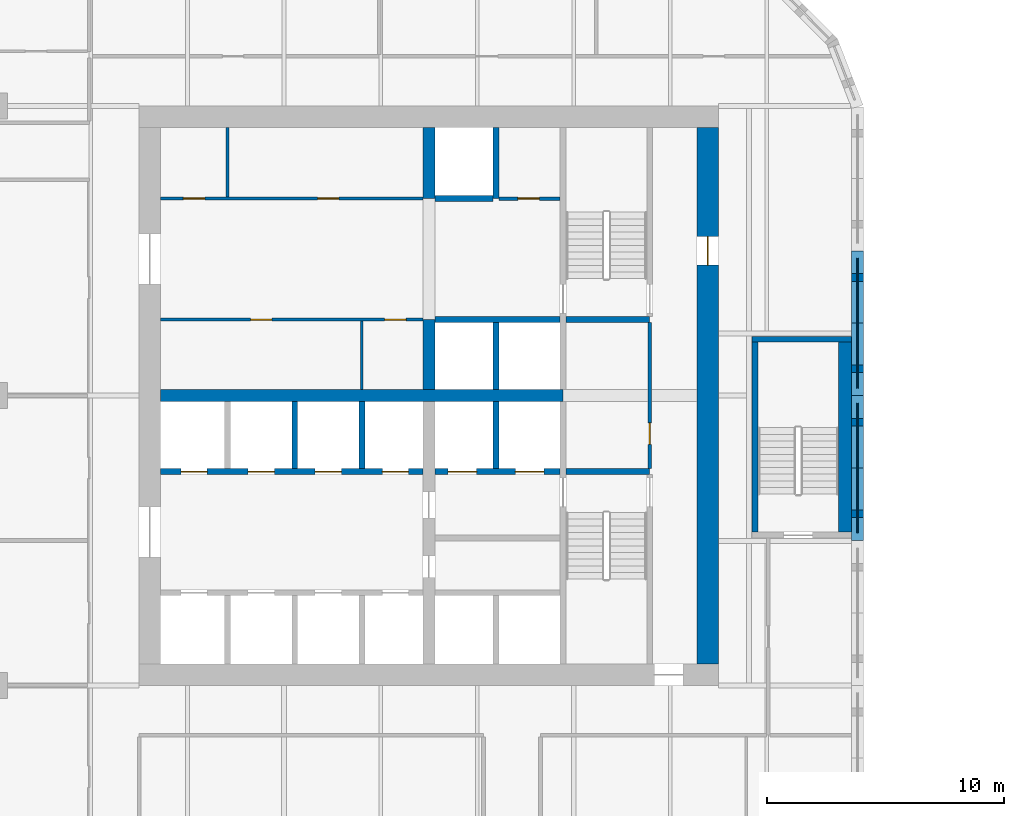
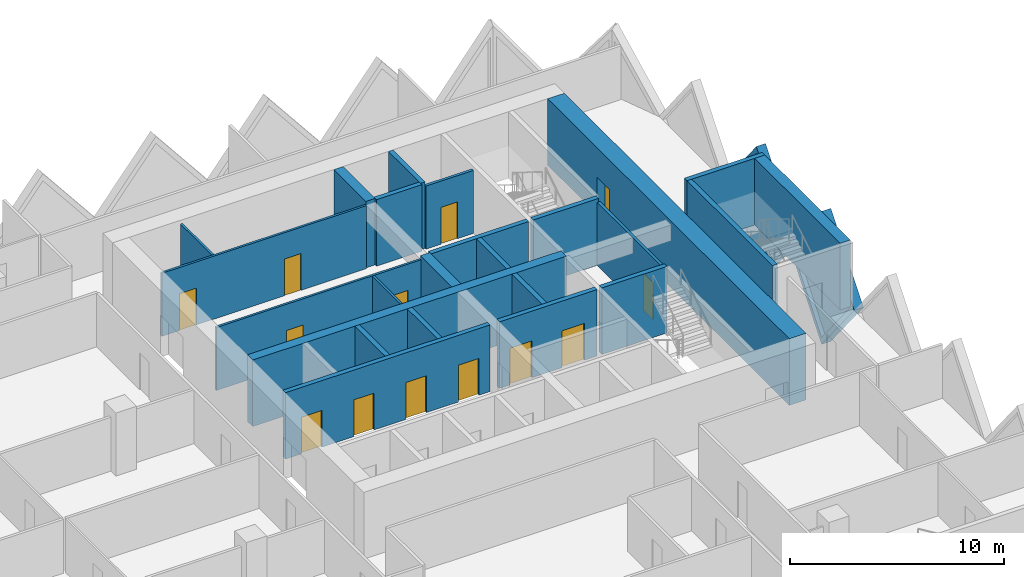
# One storey, part 9 of 18: 26 walls, 13 doors, 2 plates, 15 openings.
"""IFC4 building model written with IfcOpenShell, lengths in metres."""

from ifc_helpers import new_model, si_unit, direction, frame, frame_2d, origin, place, context, subcontext, project, spatial, polyline, rectangle, outline, extrude, faceted_brep, source, transform, mapped, material, layer, layer_set, type_object, element, fill, save


model = new_model("IFC4")

# Units and contexts
model_context = context("Model", 3, precision=1e-05, world=origin(), true_north=direction((0.0, 1.0)))
body_context = subcontext(model_context, "Body", "Model", "MODEL_VIEW")
ifc_project = project(units=[si_unit("LENGTHUNIT", "METRE"), si_unit("AREAUNIT", "SQUARE_METRE"), si_unit("VOLUMEUNIT", "CUBIC_METRE"), si_unit("PLANEANGLEUNIT", "RADIAN"), si_unit("MASSUNIT", "GRAM", prefix="KILO")], contexts=[model_context])

# Site, building, storey
site_placement = place(None, origin())
site = spatial("IfcSite", under=ifc_project, at=site_placement, CompositionType="ELEMENT")
building_placement = place(site_placement, origin())
building = spatial("IfcBuilding", under=site, at=building_placement, Name="Tessera Gate Towers", CompositionType="ELEMENT")
storey_placement = place(building_placement, frame((0.0, 0.0, 41.0)))
storey = spatial("IfcBuildingStorey", under=building, at=storey_placement, Name="L09", CompositionType="ELEMENT", Elevation=41.0)

# Wall, openings, doors
ifc_material_1 = material(Name="Concrete C40/50", Category="concrete")
ifc_layer_1 = layer(ifc_material_1, 0.25)
ifc_layer_set_1 = layer_set([ifc_layer_1], Name="CORE ENCLOSURE WALL 250")
wall_type_1 = type_object("IfcWallType", Name="CORE ENCLOSURE WALL 250", PredefinedType="SOLIDWALL", material=ifc_layer_set_1)
wall_1_placement = place(storey_placement, frame((42.449951171875, 33.39990234375, 0.0), z_axis=(0.0, 0.0, 1.0), x_axis=(-1.0, 0.0, 0.0)))
wall_1 = element("IfcWall", 1, at=wall_1_placement, inside=storey, type_object=wall_type_1, Name="L09 shaft and stair enclosure wall", PredefinedType="SOLIDWALL", context=body_context, shape_type="SweptSolid", body=[
    extrude(rectangle(XDim=11.050048828125, YDim=0.25, at=frame_2d((5.52490234375, 0.0))), origin(), (0.0, 0.0, 1.0), 3.800048828125),
])
shared_shape_1 = source(origin(), body_context, "Body", "SweptSolid", [
    extrude(rectangle(XDim=1.10009765625, YDim=2.10009765625, at=frame_2d((0.550048828125, 1.050048828125))), frame((0.0, 0.135009765625, 0.0), z_axis=(0.0, -1.0, 0.0), x_axis=(1.0, 0.0, 0.0)), (0.0, 0.0, 1.0), 0.27001953125),
])
opening_1_placement = place(wall_1_placement, frame((9.08740234375, 0.0, 0.0)))
opening_1 = element("IfcOpeningElement", 2, at=opening_1_placement, cuts=wall_1, Name="Opening LD-LR5", PredefinedType="OPENING", context=body_context, shape_type="MappedRepresentation", body=[
    mapped(shared_shape_1, transform((0.0, 0.0, 0.0), scale=1.0)),
])
opening_2_placement = place(wall_1_placement, frame((6.262451171875, 0.0, 0.0)))
opening_2 = element("IfcOpeningElement", 3, at=opening_2_placement, cuts=wall_1, Name="Opening LD-LR6", PredefinedType="OPENING", context=body_context, shape_type="MappedRepresentation", body=[
    mapped(shared_shape_1, transform((0.0, 0.0, 0.0), scale=1.0)),
])
opening_3_placement = place(wall_1_placement, frame((3.4375, 0.0, 0.0)))
opening_3 = element("IfcOpeningElement", 4, at=opening_3_placement, cuts=wall_1, Name="Opening LD-LR7", PredefinedType="OPENING", context=body_context, shape_type="MappedRepresentation", body=[
    mapped(shared_shape_1, transform((0.0, 0.0, 0.0), scale=1.0)),
])
opening_4_placement = place(wall_1_placement, frame((0.612548828125, 0.0, 0.0)))
opening_4 = element("IfcOpeningElement", 5, at=opening_4_placement, cuts=wall_1, Name="Opening LD-LR8", PredefinedType="OPENING", context=body_context, shape_type="MappedRepresentation", body=[
    mapped(shared_shape_1, transform((0.0, 0.0, 0.0), scale=1.0)),
])
ifc_material_2 = material(Name="Stainless steel", Category="steel")
door_type_1 = type_object("IfcDoorType", Name="CORE DOOR LD 1100x2100", OperationType="DOUBLE_DOOR_SLIDING", PredefinedType="DOOR", material=ifc_material_2)
shared_shape_2 = source(origin(), body_context, "Body", "SweptSolid", [
    extrude(rectangle(XDim=1.10009765625, YDim=2.10009765625, at=frame_2d((0.550048828125, 1.050048828125))), frame((0.0, 0.02490234375, 0.0), z_axis=(0.0, -1.0, 0.0), x_axis=(1.0, 0.0, 0.0)), (0.0, 0.0, 1.0), 0.050048828125),
])
door_1_placement = place(opening_1_placement, origin())
door_1 = element("IfcDoor", 6, at=door_1_placement, inside=storey, type_object=door_type_1, Name="Landing door LR5 L09", OperationType="DOUBLE_DOOR_SLIDING", OverallHeight=2.10009765625, OverallWidth=1.10009765625, PredefinedType="DOOR", context=body_context, shape_type="MappedRepresentation", body=[
    mapped(shared_shape_2, transform((0.0, 0.0, 0.0), scale=1.0)),
])
fill(opening_1, door_1)
door_2_placement = place(opening_2_placement, origin())
door_2 = element("IfcDoor", 7, at=door_2_placement, inside=storey, type_object=door_type_1, Name="Landing door LR6 L09", OperationType="DOUBLE_DOOR_SLIDING", OverallHeight=2.10009765625, OverallWidth=1.10009765625, PredefinedType="DOOR", context=body_context, shape_type="MappedRepresentation", body=[
    mapped(shared_shape_2, transform((0.0, 0.0, 0.0), scale=1.0)),
])
fill(opening_2, door_2)
door_3_placement = place(opening_3_placement, origin())
door_3 = element("IfcDoor", 8, at=door_3_placement, inside=storey, type_object=door_type_1, Name="Landing door LR7 L09", OperationType="DOUBLE_DOOR_SLIDING", OverallHeight=2.10009765625, OverallWidth=1.10009765625, PredefinedType="DOOR", context=body_context, shape_type="MappedRepresentation", body=[
    mapped(shared_shape_2, transform((0.0, 0.0, 0.0), scale=1.0)),
])
fill(opening_3, door_3)
door_4_placement = place(opening_4_placement, origin())
door_4 = element("IfcDoor", 9, at=door_4_placement, inside=storey, type_object=door_type_1, Name="Landing door LR8 L09", OperationType="DOUBLE_DOOR_SLIDING", OverallHeight=2.10009765625, OverallWidth=1.10009765625, PredefinedType="DOOR", context=body_context, shape_type="MappedRepresentation", body=[
    mapped(shared_shape_2, transform((0.0, 0.0, 0.0), scale=1.0)),
])
fill(opening_4, door_4)

wall_2_placement = place(storey_placement, frame((48.22509765625, 33.39990234375, 0.0), z_axis=(0.0, 0.0, 1.0), x_axis=(-1.0, 0.0, 0.0)))
wall_2 = element("IfcWall", 10, at=wall_2_placement, inside=storey, type_object=wall_type_1, Name="L09 shaft and stair enclosure wall", PredefinedType="SOLIDWALL", context=body_context, shape_type="SweptSolid", body=[
    extrude(rectangle(XDim=5.275146484375, YDim=0.25, at=frame_2d((2.6376953125, 0.0))), origin(), (0.0, 0.0, 1.0), 3.800048828125),
])
shared_shape_3 = source(origin(), body_context, "Body", "SweptSolid", [
    extrude(rectangle(XDim=1.199951171875, YDim=2.10009765625, at=frame_2d((0.60009765625, 1.050048828125))), frame((0.0, 0.135009765625, 0.0), z_axis=(0.0, -1.0, 0.0), x_axis=(1.0, 0.0, 0.0)), (0.0, 0.0, 1.0), 0.27001953125),
])
opening_5_placement = place(wall_2_placement, frame((3.512451171875, 0.0, 0.0)))
opening_5 = element("IfcOpeningElement", 11, at=opening_5_placement, cuts=wall_2, Name="Opening LD-FF1", PredefinedType="OPENING", context=body_context, shape_type="MappedRepresentation", body=[
    mapped(shared_shape_3, transform((0.0, 0.0, 0.0), scale=1.0)),
])
opening_6_placement = place(wall_2_placement, frame((0.6875, 0.0, 0.0)))
opening_6 = element("IfcOpeningElement", 12, at=opening_6_placement, cuts=wall_2, Name="Opening LD-FF2", PredefinedType="OPENING", context=body_context, shape_type="MappedRepresentation", body=[
    mapped(shared_shape_3, transform((0.0, 0.0, 0.0), scale=1.0)),
])
ifc_material_3 = material(Name="Stainless steel", Category="steel")
door_type_2 = type_object("IfcDoorType", Name="CORE DOOR LD1200 1200x2100", OperationType="DOUBLE_DOOR_SLIDING", PredefinedType="DOOR", material=ifc_material_3)
shared_shape_4 = source(origin(), body_context, "Body", "SweptSolid", [
    extrude(rectangle(XDim=1.199951171875, YDim=2.10009765625, at=frame_2d((0.60009765625, 1.050048828125))), frame((0.0, 0.02490234375, 0.0), z_axis=(0.0, -1.0, 0.0), x_axis=(1.0, 0.0, 0.0)), (0.0, 0.0, 1.0), 0.050048828125),
])
door_5_placement = place(opening_5_placement, origin())
door_5 = element("IfcDoor", 13, at=door_5_placement, inside=storey, type_object=door_type_2, Name="Landing door FF1 L09", OperationType="DOUBLE_DOOR_SLIDING", OverallHeight=2.10009765625, OverallWidth=1.199951171875, PredefinedType="DOOR", context=body_context, shape_type="MappedRepresentation", body=[
    mapped(shared_shape_4, transform((0.0, 0.0, 0.0), scale=1.0)),
])
fill(opening_5, door_5)
door_6_placement = place(opening_6_placement, origin())
door_6 = element("IfcDoor", 14, at=door_6_placement, inside=storey, type_object=door_type_2, Name="Landing door FF2 L09", OperationType="DOUBLE_DOOR_SLIDING", OverallHeight=2.10009765625, OverallWidth=1.199951171875, PredefinedType="DOOR", context=body_context, shape_type="MappedRepresentation", body=[
    mapped(shared_shape_4, transform((0.0, 0.0, 0.0), scale=1.0)),
])
fill(opening_6, door_6)

# Walls
wall_3_placement = place(storey_placement, frame((48.47509765625, 33.39990234375, 0.0), z_axis=(0.0, 0.0, 1.0), x_axis=(1.0, 0.0, 0.0)))
element("IfcWall", 15, at=wall_3_placement, inside=storey, type_object=wall_type_1, Name="L09 shaft and stair enclosure wall", PredefinedType="SOLIDWALL", context=body_context, shape_type="SweptSolid", body=[
    extrude(rectangle(XDim=3.52490234375, YDim=0.25, at=frame_2d((1.762451171875, 0.0))), origin(), (0.0, 0.0, 1.0), 3.800048828125),
])
wall_4_placement = place(storey_placement, frame((42.949951171875, 39.800048828125, 0.0), z_axis=(0.0, 0.0, 1.0), x_axis=(1.0, 0.0, 0.0)))
element("IfcWall", 16, at=wall_4_placement, inside=storey, type_object=wall_type_1, Name="L09 shaft and stair enclosure wall", PredefinedType="SOLIDWALL", context=body_context, shape_type="SweptSolid", body=[
    extrude(rectangle(XDim=5.275146484375, YDim=0.25, at=frame_2d((2.6376953125, 0.0))), origin(), (0.0, 0.0, 1.0), 3.800048828125),
])
wall_5_placement = place(storey_placement, frame((48.47509765625, 39.800048828125, 0.0), z_axis=(0.0, 0.0, 1.0), x_axis=(1.0, 0.0, 0.0)))
element("IfcWall", 17, at=wall_5_placement, inside=storey, type_object=wall_type_1, Name="L09 shaft and stair enclosure wall", PredefinedType="SOLIDWALL", context=body_context, shape_type="SweptSolid", body=[
    extrude(rectangle(XDim=3.52490234375, YDim=0.25, at=frame_2d((1.762451171875, 0.0))), origin(), (0.0, 0.0, 1.0), 3.800048828125),
])
wall_6_placement = place(storey_placement, frame((45.52490234375, 33.52490234375, 0.0), z_axis=(0.0, 0.0, 1.0), x_axis=(0.0, 1.0, 0.0)))
element("IfcWall", 18, at=wall_6_placement, inside=storey, type_object=wall_type_1, Name="L09 shaft and stair enclosure wall", PredefinedType="SOLIDWALL", context=body_context, shape_type="SweptSolid", body=[
    extrude(rectangle(XDim=2.8251953125, YDim=0.25, at=frame_2d((1.41259765625, 0.0))), origin(), (0.0, 0.0, 1.0), 3.800048828125),
])
wall_7_placement = place(storey_placement, frame((45.52490234375, 36.85009765625, 0.0), z_axis=(0.0, 0.0, 1.0), x_axis=(0.0, 1.0, 0.0)))
element("IfcWall", 19, at=wall_7_placement, inside=storey, type_object=wall_type_1, Name="L09 shaft and stair enclosure wall", PredefinedType="SOLIDWALL", context=body_context, shape_type="SweptSolid", body=[
    extrude(rectangle(XDim=2.824951171875, YDim=0.25, at=frame_2d((1.41259765625, 0.0))), origin(), (0.0, 0.0, 1.0), 3.800048828125),
])
for number, where, z_axis, x_axis, name in (
    (20, (37.050048828125, 33.52490234375, 0.0), (0.0, 0.0, 1.0), (0.0, 1.0, 0.0), "L09 shaft and stair enclosure wall"),
    (21, (39.875, 33.52490234375, 0.0), (0.0, 0.0, 1.0), (0.0, 1.0, 0.0), "L09 shaft and stair enclosure wall"),
):
    element("IfcWall", number, at=place(storey_placement, frame(where, z_axis=z_axis, x_axis=x_axis)), inside=storey, type_object=wall_type_1, Name=name, PredefinedType="SOLIDWALL", context=body_context, shape_type="SweptSolid", body=[
        extrude(rectangle(XDim=2.8251953125, YDim=0.25, at=frame_2d((1.41259765625, 0.0))), origin(), (0.0, 0.0, 1.0), 3.800048828125),
    ])
wall_8_placement = place(storey_placement, frame((45.52490234375, 44.89990234375, 0.0), z_axis=(0.0, 0.0, 1.0), x_axis=(0.0, 1.0, 0.0)))
element("IfcWall", 22, at=wall_8_placement, inside=storey, type_object=wall_type_1, Name="L09 shaft and stair enclosure wall", PredefinedType="SOLIDWALL", context=body_context, shape_type="SweptSolid", body=[
    extrude(rectangle(XDim=3.0, YDim=0.25, at=frame_2d((1.5, 0.0))), origin(), (0.0, 0.0, 1.0), 3.800048828125),
])
wall_9_placement = place(storey_placement, frame((42.949951171875, 44.89990234375, 0.0), z_axis=(0.0, 0.0, 1.0), x_axis=(1.0, 0.0, 0.0)))
element("IfcWall", 23, at=wall_9_placement, inside=storey, type_object=wall_type_1, Name="L09 shaft and stair enclosure wall", PredefinedType="SOLIDWALL", context=body_context, shape_type="SweptSolid", body=[
    extrude(rectangle(XDim=2.449951171875, YDim=0.25, at=frame_2d((1.22509765625, 0.0))), origin(), (0.0, 0.0, 1.0), 3.800048828125),
])
wall_10_placement = place(storey_placement, frame((56.425048828125, 30.85009765625, 0.0), z_axis=(0.0, 0.0, 1.0), x_axis=(0.0, 1.0, 0.0)))
element("IfcWall", 24, at=wall_10_placement, inside=storey, type_object=wall_type_1, Name="L09 ST5 enclosure wall", PredefinedType="SOLIDWALL", context=body_context, shape_type="SweptSolid", body=[
    extrude(rectangle(XDim=8.0, YDim=0.25, at=frame_2d((4.0, 0.0))), origin(), (0.0, 0.0, 1.0), 3.800048828125),
])
wall_11_placement = place(storey_placement, frame((56.300048828125, 38.97509765625, 0.0), z_axis=(0.0, 0.0, 1.0), x_axis=(1.0, 0.0, 0.0)))
element("IfcWall", 25, at=wall_11_placement, inside=storey, type_object=wall_type_1, Name="L09 ST5 enclosure wall", PredefinedType="SOLIDWALL", context=body_context, shape_type="SweptSolid", body=[
    extrude(rectangle(XDim=4.199951171875, YDim=0.25, at=frame_2d((2.10009765625, 0.0))), origin(), (0.0, 0.0, 1.0), 3.800048828125),
])
ifc_material_4 = material(Name="Concrete C40/50", Category="concrete")
ifc_layer_2 = layer(ifc_material_4, 0.550048828125)
ifc_layer_set_2 = layer_set([ifc_layer_2], Name="CORE ENCLOSURE WALL 550")
wall_type_2 = type_object("IfcWallType", Name="CORE ENCLOSURE WALL 550", PredefinedType="SOLIDWALL", material=ifc_layer_set_2)
wall_12_placement = place(storey_placement, frame((60.22509765625, 38.85009765625, 0.0), z_axis=(0.0, 0.0, 1.0), x_axis=(0.0, -1.0, 0.0)))
element("IfcWall", 26, at=wall_12_placement, inside=storey, type_object=wall_type_2, Name="L09 ST5 enclosure wall", PredefinedType="SOLIDWALL", context=body_context, shape_type="SweptSolid", body=[
    extrude(rectangle(XDim=8.0, YDim=0.550048828125, at=frame_2d((4.0, 0.0))), origin(), (0.0, 0.0, 1.0), 3.800048828125),
])

# Wall, openings, doors
ifc_material_5 = material(Name="Gypsum board on steel studs", Category="steel")
ifc_layer_3 = layer(ifc_material_5, 0.1201171875)
ifc_layer_set_3 = layer_set([ifc_layer_3], Name="CORE PARTITION 120")
wall_type_3 = type_object("IfcWallType", Name="CORE PARTITION 120", PredefinedType="PARTITIONING", material=ifc_layer_set_3)
wall_13_placement = place(storey_placement, frame((42.449951171875, 39.800048828125, 0.0), z_axis=(0.0, 0.0, 1.0), x_axis=(-1.0, 0.0, 0.0)))
wall_13 = element("IfcWall", 27, at=wall_13_placement, inside=storey, type_object=wall_type_3, Name="L09 core partition", PredefinedType="PARTITIONING", context=body_context, shape_type="SweptSolid", body=[
    extrude(rectangle(XDim=11.050048828125, YDim=0.1201171875, at=frame_2d((5.52490234375, 0.0))), origin(), (0.0, 0.0, 1.0), 3.60009765625),
])
shared_shape_5 = source(origin(), body_context, "Body", "SweptSolid", [
    extrude(rectangle(XDim=0.89990234375, YDim=2.10009765625, at=frame_2d((0.449951171875, 1.050048828125))), frame((0.0, 0.070068359375, 0.0), z_axis=(0.0, -1.0, 0.0), x_axis=(1.0, 0.0, 0.0)), (0.0, 0.0, 1.0), 0.14013671875),
])
opening_7_placement = place(wall_13_placement, frame((6.362548828125, 0.0, 0.0)))
opening_7 = element("IfcOpeningElement", 28, at=opening_7_placement, cuts=wall_13, Name="Opening RD-T1-08-07", PredefinedType="OPENING", context=body_context, shape_type="MappedRepresentation", body=[
    mapped(shared_shape_5, transform((0.0, 0.0, 0.0), scale=1.0)),
])
opening_8_placement = place(wall_13_placement, frame((0.71240234375, 0.0, 0.0)))
opening_8 = element("IfcOpeningElement", 29, at=opening_8_placement, cuts=wall_13, Name="Opening RD-T1-08-08", PredefinedType="OPENING", context=body_context, shape_type="MappedRepresentation", body=[
    mapped(shared_shape_5, transform((0.0, 0.0, 0.0), scale=1.0)),
])
ifc_material_6 = material(Name="Hollow steel fire door", Category="steel")
door_type_3 = type_object("IfcDoorType", Name="CORE DOOR RD 900x2100", OperationType="NOTDEFINED", PredefinedType="DOOR", material=ifc_material_6)
shared_shape_6 = source(origin(), body_context, "Body", "SweptSolid", [
    extrude(rectangle(XDim=0.89990234375, YDim=2.10009765625, at=frame_2d((0.449951171875, 1.050048828125))), frame((0.0, 0.02490234375, 0.0), z_axis=(0.0, -1.0, 0.0), x_axis=(1.0, 0.0, 0.0)), (0.0, 0.0, 1.0), 0.050048828125),
])
door_7_placement = place(opening_7_placement, origin())
door_7 = element("IfcDoor", 30, at=door_7_placement, inside=storey, type_object=door_type_3, Name="Core room door", OperationType="SINGLE_SWING_RIGHT", OverallHeight=2.10009765625, OverallWidth=0.89990234375, PredefinedType="DOOR", context=body_context, shape_type="MappedRepresentation", body=[
    mapped(shared_shape_6, transform((0.0, 0.0, 0.0), scale=1.0)),
])
fill(opening_7, door_7)
door_8_placement = place(opening_8_placement, origin())
door_8 = element("IfcDoor", 31, at=door_8_placement, inside=storey, type_object=door_type_3, Name="Core room door", OperationType="SINGLE_SWING_LEFT", OverallHeight=2.10009765625, OverallWidth=0.89990234375, PredefinedType="DOOR", context=body_context, shape_type="MappedRepresentation", body=[
    mapped(shared_shape_6, transform((0.0, 0.0, 0.0), scale=1.0)),
])
fill(opening_8, door_8)

wall_14_placement = place(storey_placement, frame((31.39990234375, 44.89990234375, 0.0), z_axis=(0.0, 0.0, 1.0), x_axis=(1.0, 0.0, 0.0)))
wall_14 = element("IfcWall", 32, at=wall_14_placement, inside=storey, type_object=wall_type_3, Name="L09 core partition", PredefinedType="PARTITIONING", context=body_context, shape_type="SweptSolid", body=[
    extrude(rectangle(XDim=11.050048828125, YDim=0.1201171875, at=frame_2d((5.52490234375, 0.0))), origin(), (0.0, 0.0, 1.0), 3.60009765625),
])
opening_9_placement = place(wall_14_placement, frame((0.96240234375, 0.0, 0.0)))
opening_9 = element("IfcOpeningElement", 33, at=opening_9_placement, cuts=wall_14, Name="Opening RD-T1-08-09", PredefinedType="OPENING", context=body_context, shape_type="MappedRepresentation", body=[
    mapped(shared_shape_5, transform((0.0, 0.0, 0.0), scale=1.0)),
])
opening_10_placement = place(wall_14_placement, frame((6.612548828125, 0.0, 0.0)))
opening_10 = element("IfcOpeningElement", 34, at=opening_10_placement, cuts=wall_14, Name="Opening RD-T1-08-10", PredefinedType="OPENING", context=body_context, shape_type="MappedRepresentation", body=[
    mapped(shared_shape_5, transform((0.0, 0.0, 0.0), scale=1.0)),
])
door_9_placement = place(opening_9_placement, origin())
door_9 = element("IfcDoor", 35, at=door_9_placement, inside=storey, type_object=door_type_3, Name="Core room door", OperationType="SINGLE_SWING_LEFT", OverallHeight=2.10009765625, OverallWidth=0.89990234375, PredefinedType="DOOR", context=body_context, shape_type="MappedRepresentation", body=[
    mapped(shared_shape_6, transform((0.0, 0.0, 0.0), scale=1.0)),
])
fill(opening_9, door_9)
door_10_placement = place(opening_10_placement, origin())
door_10 = element("IfcDoor", 36, at=door_10_placement, inside=storey, type_object=door_type_3, Name="Core room door", OperationType="SINGLE_SWING_RIGHT", OverallHeight=2.10009765625, OverallWidth=0.89990234375, PredefinedType="DOOR", context=body_context, shape_type="MappedRepresentation", body=[
    mapped(shared_shape_6, transform((0.0, 0.0, 0.0), scale=1.0)),
])
fill(opening_10, door_10)

# Walls
wall_15_placement = place(storey_placement, frame((39.875, 36.85009765625, 0.0), z_axis=(0.0, 0.0, 1.0), x_axis=(0.0, 1.0, 0.0)))
element("IfcWall", 37, at=wall_15_placement, inside=storey, type_object=wall_type_3, Name="L09 core partition", PredefinedType="PARTITIONING", context=body_context, shape_type="SweptSolid", body=[
    extrude(rectangle(XDim=2.889892578125, YDim=0.1201171875, at=frame_2d((1.44482421875, 0.0))), origin(), (0.0, 0.0, 1.0), 3.60009765625),
])
wall_16_placement = place(storey_placement, frame((34.22509765625, 44.9599609375, 0.0), z_axis=(0.0, 0.0, 1.0), x_axis=(0.0, 1.0, 0.0)))
element("IfcWall", 38, at=wall_16_placement, inside=storey, type_object=wall_type_3, Name="L09 core partition", PredefinedType="PARTITIONING", context=body_context, shape_type="SweptSolid", body=[
    extrude(rectangle(XDim=2.93994140625, YDim=0.1201171875, at=frame_2d((1.469970703125, 0.0))), origin(), (0.0, 0.0, 1.0), 3.60009765625),
])

# Wall, opening, door
ifc_material_7 = material(Name="Concrete C70/85", Category="concrete")
ifc_layer_4 = layer(ifc_material_7, 0.89990234375)
ifc_layer_set_4 = layer_set([ifc_layer_4], Name="CORE SHEAR WALL 900 C70/85")
wall_type_4 = type_object("IfcWallType", Name="CORE SHEAR WALL 900 C70/85", PredefinedType="SHEAR", material=ifc_layer_set_4)
wall_17_placement = place(storey_placement, frame((54.449951171875, 47.89990234375, 0.0), z_axis=(0.0, 0.0, 1.0), x_axis=(0.0, -1.0, 0.0)))
wall_17 = element("IfcWall", 39, at=wall_17_placement, inside=storey, type_object=wall_type_4, Name="Core wall E L09", PredefinedType="SHEAR", context=body_context, shape_type="SweptSolid", body=[
    extrude(rectangle(XDim=22.599853515625, YDim=0.89990234375, at=frame_2d((11.2998046875, 0.0))), origin(), (0.0, 0.0, 1.0), 3.800048828125),
])
shared_shape_7 = source(origin(), body_context, "Body", "SweptSolid", [
    extrude(rectangle(XDim=1.199951171875, YDim=2.10009765625, at=frame_2d((0.60009765625, 1.050048828125))), frame((0.0, 0.4599609375, 0.0), z_axis=(0.0, -1.0, 0.0), x_axis=(1.0, 0.0, 0.0)), (0.0, 0.0, 1.0), 0.919921875),
])
opening_11_placement = place(wall_17_placement, frame((4.60009765625, 0.0, 0.0)))
opening_11 = element("IfcOpeningElement", 40, at=opening_11_placement, cuts=wall_17, Name="Opening ED-T1-08-04", PredefinedType="OPENING", context=body_context, shape_type="MappedRepresentation", body=[
    mapped(shared_shape_7, transform((0.0, 0.0, 0.0), scale=1.0)),
])
ifc_material_8 = material(Name="Hollow steel fire door", Category="steel")
door_type_4 = type_object("IfcDoorType", Name="CORE DOOR ED 1200x2100", OperationType="NOTDEFINED", PredefinedType="DOOR", material=ifc_material_8)
door_11_placement = place(opening_11_placement, origin())
door_11 = element("IfcDoor", 41, at=door_11_placement, inside=storey, type_object=door_type_4, Name="Core exit door", OperationType="SINGLE_SWING_LEFT", OverallHeight=2.10009765625, OverallWidth=1.199951171875, PredefinedType="DOOR", context=body_context, shape_type="MappedRepresentation", body=[
    mapped(shared_shape_4, transform((0.0, 0.0, 0.0), scale=1.0)),
])
fill(opening_11, door_11)

# Walls
ifc_material_9 = material(Name="Concrete C70/85", Category="concrete")
ifc_layer_5 = layer(ifc_material_9, 0.5)
ifc_layer_set_5 = layer_set([ifc_layer_5], Name="CORE SPINE WALL 500 C70/85")
wall_type_5 = type_object("IfcWallType", Name="CORE SPINE WALL 500 C70/85", PredefinedType="SHEAR", material=ifc_layer_set_5)
wall_18_placement = place(storey_placement, frame((31.39990234375, 36.60009765625, 0.0), z_axis=(0.0, 0.0, 1.0), x_axis=(1.0, 0.0, 0.0)))
element("IfcWall", 42, at=wall_18_placement, inside=storey, type_object=wall_type_5, Name="Core wall spine L09", PredefinedType="SHEAR", context=body_context, shape_type="SweptSolid", body=[
    extrude(rectangle(XDim=16.9501953125, YDim=0.5, at=frame_2d((8.47509765625, 0.0))), origin(), (0.0, 0.0, 1.0), 3.800048828125),
])
wall_19_placement = place(storey_placement, frame((42.699951171875, 36.85009765625, 0.0), z_axis=(0.0, 0.0, 1.0), x_axis=(0.0, 1.0, 0.0)))
element("IfcWall", 43, at=wall_19_placement, inside=storey, type_object=wall_type_5, Name="Core wall spine L09", PredefinedType="SHEAR", context=body_context, shape_type="SweptSolid", body=[
    extrude(rectangle(XDim=2.949951171875, YDim=0.5, at=frame_2d((1.47509765625, 0.0))), origin(), (0.0, 0.0, 1.0), 3.800048828125),
])
wall_20_placement = place(storey_placement, frame((42.699951171875, 44.89990234375, 0.0), z_axis=(0.0, 0.0, 1.0), x_axis=(0.0, 1.0, 0.0)))
element("IfcWall", 44, at=wall_20_placement, inside=storey, type_object=wall_type_5, Name="Core wall spine L09", PredefinedType="SHEAR", context=body_context, shape_type="SweptSolid", body=[
    extrude(rectangle(XDim=3.0, YDim=0.5, at=frame_2d((1.5, 0.0))), origin(), (0.0, 0.0, 1.0), 3.800048828125),
])

# Wall, opening, door
ifc_material_10 = material(Name="Gypsum board on steel studs", Category="steel")
ifc_layer_6 = layer(ifc_material_10, 0.14990234375)
ifc_layer_set_6 = layer_set([ifc_layer_6], Name="SERVICE ROOM WALL 150")
wall_type_6 = type_object("IfcWallType", Name="SERVICE ROOM WALL 150", PredefinedType="PARTITIONING", material=ifc_layer_set_6)
wall_21_placement = place(storey_placement, frame((52.0, 33.52490234375, 0.0), z_axis=(0.0, 0.0, 1.0), x_axis=(0.0, 1.0, 0.0)))
wall_21 = element("IfcWall", 45, at=wall_21_placement, inside=storey, type_object=wall_type_6, Name="L09 service room wall", PredefinedType="PARTITIONING", context=body_context, shape_type="SweptSolid", body=[
    extrude(rectangle(XDim=6.150146484375, YDim=0.14990234375, at=frame_2d((3.0751953125, 0.0))), origin(), (0.0, 0.0, 1.0), 3.60009765625),
])
shared_shape_8 = source(origin(), body_context, "Body", "SweptSolid", [
    extrude(rectangle(XDim=0.89990234375, YDim=2.10009765625, at=frame_2d((0.449951171875, 1.050048828125))), frame((0.0, 0.0849609375, 0.0), z_axis=(0.0, -1.0, 0.0), x_axis=(1.0, 0.0, 0.0)), (0.0, 0.0, 1.0), 0.169921875),
])
opening_12_placement = place(wall_21_placement, frame((1.02490234375, 0.0, 0.0)))
opening_12 = element("IfcOpeningElement", 46, at=opening_12_placement, cuts=wall_21, Name="Opening RD-T1-08-11", PredefinedType="OPENING", context=body_context, shape_type="MappedRepresentation", body=[
    mapped(shared_shape_8, transform((0.0, 0.0, 0.0), scale=1.0)),
])
door_12_placement = place(opening_12_placement, origin())
door_12 = element("IfcDoor", 47, at=door_12_placement, inside=storey, type_object=door_type_3, Name="Core room door", OperationType="SINGLE_SWING_LEFT", OverallHeight=2.10009765625, OverallWidth=0.89990234375, PredefinedType="DOOR", context=body_context, shape_type="MappedRepresentation", body=[
    mapped(shared_shape_6, transform((0.0, 0.0, 0.0), scale=1.0)),
])
fill(opening_12, door_12)

wall_22_placement = place(storey_placement, frame((45.64990234375, 44.89990234375, 0.0), z_axis=(0.0, 0.0, 1.0), x_axis=(1.0, 0.0, 0.0)))
wall_22 = element("IfcWall", 48, at=wall_22_placement, inside=storey, type_object=wall_type_6, Name="L09 service room wall", PredefinedType="PARTITIONING", context=body_context, shape_type="SweptSolid", body=[
    extrude(rectangle(XDim=2.5751953125, YDim=0.14990234375, at=frame_2d((1.28759765625, 0.0))), origin(), (0.0, 0.0, 1.0), 3.60009765625),
])
opening_13_placement = place(wall_22_placement, frame((0.800048828125, 0.0, 0.0)))
opening_13 = element("IfcOpeningElement", 49, at=opening_13_placement, cuts=wall_22, Name="Opening RD-T1-08-12", PredefinedType="OPENING", context=body_context, shape_type="MappedRepresentation", body=[
    mapped(shared_shape_8, transform((0.0, 0.0, 0.0), scale=1.0)),
])
door_13_placement = place(opening_13_placement, origin())
door_13 = element("IfcDoor", 50, at=door_13_placement, inside=storey, type_object=door_type_3, Name="Core room door", OperationType="SINGLE_SWING_LEFT", OverallHeight=2.10009765625, OverallWidth=0.89990234375, PredefinedType="DOOR", context=body_context, shape_type="MappedRepresentation", body=[
    mapped(shared_shape_6, transform((0.0, 0.0, 0.0), scale=1.0)),
])
fill(opening_13, door_13)

# Wall, opening, plate
ifc_material_11 = material(Name="Precast concrete C60/75 white", Category="concrete")
ifc_layer_7 = layer(ifc_material_11, 0.5)
ifc_layer_set_7 = layer_set([ifc_layer_7], Name="TS1 tessera")
wall_type_7 = type_object("IfcWallType", Name="TS1 tessera", PredefinedType="SOLIDWALL", material=ifc_layer_set_7)
shared_shape_9 = source(origin(), body_context, "Body", "Brep", [
    faceted_brep([(3.050048828125, -0.25, 0.0), (6.099853515625, -0.25, 3.7998046875), (6.099853515625, -0.25, 3.80029296875), (3.050048828125, -0.25, 7.60009765625), (0.0, -0.25, 3.800048828125), (0.0, 0.25, 3.800048828125), (3.050048828125, 0.25, 7.60009765625), (6.099853515625, 0.25, 3.80029296875), (6.099853515625, 0.25, 3.7998046875), (3.050048828125, 0.25, 0.0)], [[[0, 1, 2, 3, 4]], [[5, 6, 7, 8, 9]], [[9, 8, 1, 0]], [[7, 6, 3, 2]], [[6, 5, 4, 3]], [[5, 9, 0, 4]], [[1, 8, 7, 2]]]),
])
wall_23_placement = place(storey_placement, frame((60.75, 36.60009765625, -3.800048828125), z_axis=(0.0, 0.0, 1.0), x_axis=(0.0, 1.0, 0.0)))
wall_23 = element("IfcWall", 51, at=wall_23_placement, inside=storey, type_object=wall_type_7, Name="Precast tessera T1 TS1-0100", PredefinedType="SOLIDWALL", context=body_context, shape_type="MappedRepresentation", body=[
    mapped(shared_shape_9, transform((0.0, 0.0, 0.0), scale=1.0)),
])
shared_shape_10 = source(origin(), body_context, "Body", "SweptSolid", [
    extrude(outline(polyline([(3.050048828125, 0.3994140625), (5.779541015625, 3.800048828125), (3.050048828125, 7.20068359375), (0.320556640625, 3.800048828125), (3.050048828125, 0.3994140625)])), frame((0.0, 0.260009765625, 0.0), z_axis=(0.0, -1.0, 0.0), x_axis=(1.0, 0.0, 0.0)), (0.0, 0.0, 1.0), 0.52001953125),
])
opening_14_placement = place(wall_23_placement, origin())
opening_14 = element("IfcOpeningElement", 52, at=opening_14_placement, cuts=wall_23, Name="Opening T1-PL2-0202", PredefinedType="OPENING", context=body_context, shape_type="MappedRepresentation", body=[
    mapped(shared_shape_10, transform((0.0, 0.0, 0.0), scale=1.0)),
])
ifc_material_12 = material(Name="Low-e laminated glass", Category="glass")
ifc_layer_8 = layer(ifc_material_12, 0.06005859375)
ifc_layer_set_8 = layer_set([ifc_layer_8], Name="PL2 rhombic pane")
plate_type = type_object("IfcPlateType", Name="PL2 rhombic pane", PredefinedType="SHEET", material=ifc_layer_set_8)
shared_shape_11 = source(origin(), body_context, "Body", "SweptSolid", [
    extrude(outline(polyline([(3.050048828125, 0.3994140625), (5.779541015625, 3.800048828125), (3.050048828125, 7.20068359375), (0.320556640625, 3.800048828125), (3.050048828125, 0.3994140625)])), frame((0.0, 0.030029296875, 0.0), z_axis=(0.0, -1.0, 0.0), x_axis=(1.0, 0.0, 0.0)), (0.0, 0.0, 1.0), 0.06005859375),
])
plate_1_placement = place(opening_14_placement, origin())
plate_1 = element("IfcPlate", 53, at=plate_1_placement, inside=storey, type_object=plate_type, Name="Glass pane T1 PL2-0202", PredefinedType="SHEET", context=body_context, shape_type="MappedRepresentation", body=[
    mapped(shared_shape_11, transform((0.0, 0.0, 0.0), scale=1.0)),
])
fill(opening_14, plate_1)

shared_shape_12 = source(origin(), body_context, "Body", "SweptSolid", [
    extrude(outline(polyline([(3.050048828125, 0.0), (6.10009765625, 3.800048828125), (3.050048828125, 7.60009765625), (0.0, 3.800048828125), (3.050048828125, 0.0)])), frame((0.0, 0.25, 0.0), z_axis=(0.0, -1.0, 0.0), x_axis=(1.0, 0.0, 0.0)), (0.0, 0.0, 1.0), 0.5),
])
wall_24_placement = place(storey_placement, frame((60.75, 30.5, -3.800048828125), z_axis=(0.0, 0.0, 1.0), x_axis=(0.0, 1.0, 0.0)))
wall_24 = element("IfcWall", 54, at=wall_24_placement, inside=storey, type_object=wall_type_7, Name="Precast tessera T1 TS1-0099", PredefinedType="SOLIDWALL", context=body_context, shape_type="MappedRepresentation", body=[
    mapped(shared_shape_12, transform((0.0, 0.0, 0.0), scale=1.0)),
])
opening_15_placement = place(wall_24_placement, origin())
opening_15 = element("IfcOpeningElement", 55, at=opening_15_placement, cuts=wall_24, Name="Opening T1-PL2-0201", PredefinedType="OPENING", context=body_context, shape_type="MappedRepresentation", body=[
    mapped(shared_shape_10, transform((0.0, 0.0, 0.0), scale=1.0)),
])
plate_2_placement = place(opening_15_placement, origin())
plate_2 = element("IfcPlate", 56, at=plate_2_placement, inside=storey, type_object=plate_type, Name="Glass pane T1 PL2-0201", PredefinedType="SHEET", context=body_context, shape_type="MappedRepresentation", body=[
    mapped(shared_shape_11, transform((0.0, 0.0, 0.0), scale=1.0)),
])
fill(opening_15, plate_2)

save(model, "model.ifc")
